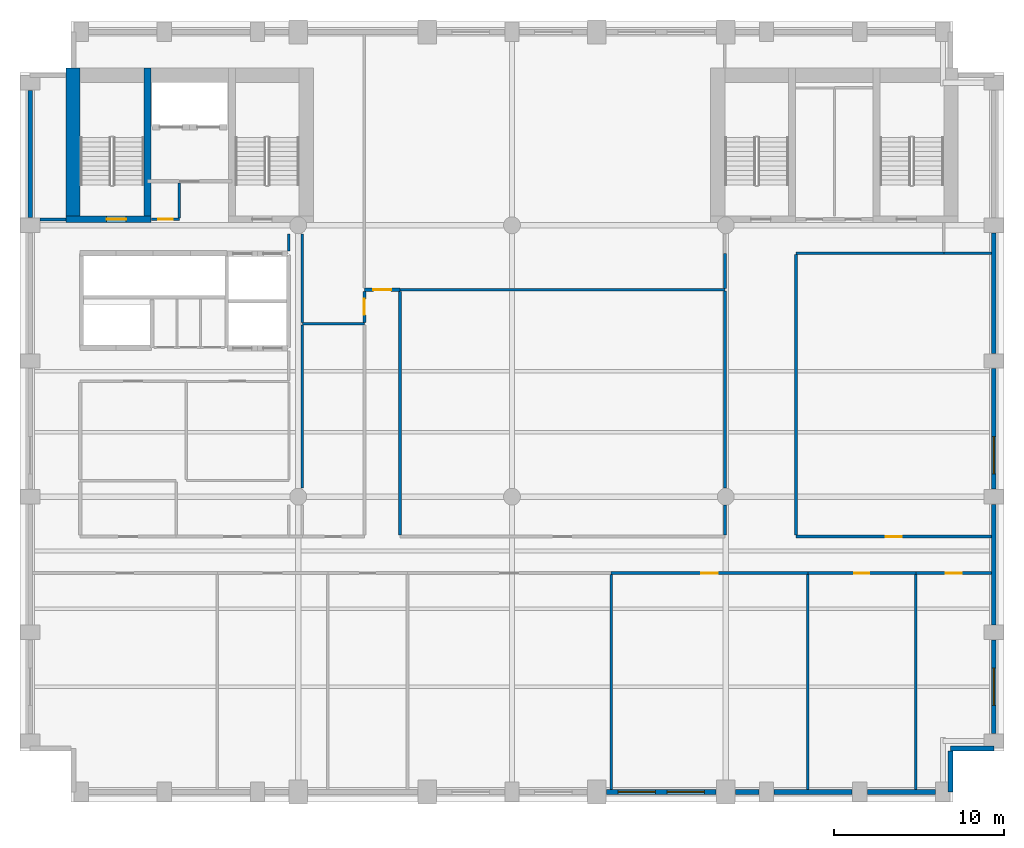
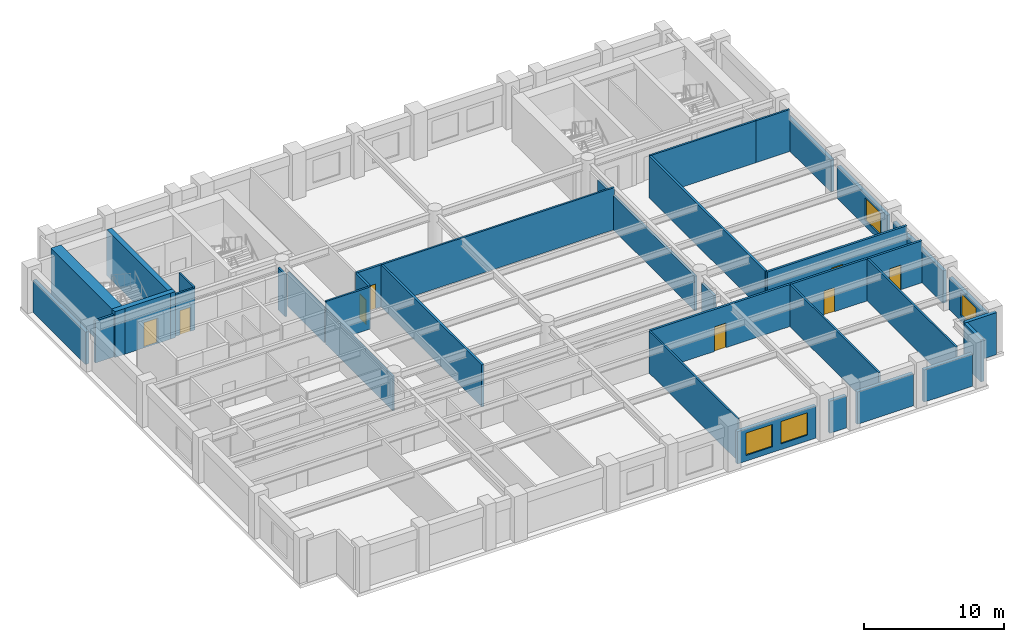
# One storey, part 4 of 8: 38 walls, 8 doors, 4 windows, 12 openings.
"""IFC4 building model written with IfcOpenShell, lengths in metres."""

from ifc_helpers import new_model, si_unit, direction, frame, frame_2d, origin, place, context, subcontext, project, spatial, rectangle, extrude, material, layer, layer_set, type_object, element, fill, save


model = new_model("IFC4")

# Units and contexts
model_context = context("Model", 3, precision=1e-05, world=origin(), true_north=direction((0.0, 1.0)))
body_context = subcontext(model_context, "Body", "Model", "MODEL_VIEW")
ifc_project = project(units=[si_unit("LENGTHUNIT", "METRE"), si_unit("AREAUNIT", "SQUARE_METRE"), si_unit("VOLUMEUNIT", "CUBIC_METRE"), si_unit("PLANEANGLEUNIT", "RADIAN"), si_unit("MASSUNIT", "GRAM", prefix="KILO")], contexts=[model_context])

# Site, building, storey
site_placement = place(None, origin())
site = spatial("IfcSite", under=ifc_project, at=site_placement, CompositionType="ELEMENT")
building_placement = place(site_placement, origin())
building = spatial("IfcBuilding", under=site, at=building_placement, Name="Sulina Concourse Tower", CompositionType="ELEMENT")
storey_placement = place(building_placement, frame((0.0, 0.0, 156.60009765625)))
storey = spatial("IfcBuildingStorey", under=building, at=storey_placement, Name="L38", CompositionType="ELEMENT", Elevation=156.60009765625)

# Walls
ifc_material_1 = material(Name="Gypsum board on steel stud", Category="steel")
ifc_layer_1 = layer(ifc_material_1, 0.14990234375)
ifc_layer_set_1 = layer_set([ifc_layer_1], Name="Gypsum board on steel stud")
wall_type_1 = type_object("IfcWallType", Name="Inter-Tenancy Acoustic Partition 150mm", PredefinedType="PARTITIONING", material=ifc_layer_set_1)
wall_1_placement = place(storey_placement, frame((16.64990234375, 28.199951171875, 0.0), z_axis=(0.0, 0.0, 1.0), x_axis=(1.0, 0.0, 0.0)))
element("IfcWall", 1, at=wall_1_placement, inside=storey, type_object=wall_type_1, Name="L38 interior partition 021", PredefinedType="PARTITIONING", context=body_context, shape_type="SweptSolid", body=[
    extrude(rectangle(XDim=3.650146484375, YDim=0.14990234375, at=frame_2d((1.8251953125, 0.0))), origin(), (0.0, 0.0, 1.0), 3.659912109375),
])
wall_2_placement = place(storey_placement, frame((22.39990234375, 30.199951171875, 0.0), z_axis=(0.0, 0.0, 1.0), x_axis=(1.0, 0.0, 0.0)))
element("IfcWall", 2, at=wall_2_placement, inside=storey, type_object=wall_type_1, Name="L38 interior partition 023", PredefinedType="PARTITIONING", context=body_context, shape_type="SweptSolid", body=[
    extrude(rectangle(XDim=19.150146484375, YDim=0.14990234375, at=frame_2d((9.5751953125, 0.0))), origin(), (0.0, 0.0, 1.0), 3.659912109375),
])
wall_3_placement = place(storey_placement, frame((45.75, 32.35009765625, 0.0), z_axis=(0.0, 0.0, 1.0), x_axis=(1.0, 0.0, 0.0)))
element("IfcWall", 3, at=wall_3_placement, inside=storey, type_object=wall_type_1, Name="L38 interior partition 024", PredefinedType="PARTITIONING", context=body_context, shape_type="SweptSolid", body=[
    extrude(rectangle(XDim=8.699951171875, YDim=0.14990234375, at=frame_2d((4.35009765625, 0.0))), origin(), (0.0, 0.0, 1.0), 3.659912109375),
])
wall_4_placement = place(storey_placement, frame((54.449951171875, 32.35009765625, 0.0), z_axis=(0.0, 0.0, 1.0), x_axis=(1.0, 0.0, 0.0)))
element("IfcWall", 4, at=wall_4_placement, inside=storey, type_object=wall_type_1, Name="L38 interior partition 025", PredefinedType="PARTITIONING", context=body_context, shape_type="SweptSolid", body=[
    extrude(rectangle(XDim=2.81005859375, YDim=0.14990234375, at=frame_2d((1.405029296875, 0.0))), origin(), (0.0, 0.0, 1.0), 3.659912109375),
])

# Wall, opening, door
wall_5_placement = place(storey_placement, frame((7.75, 34.35009765625, 0.0), z_axis=(0.0, 0.0, 1.0), x_axis=(1.0, 0.0, 0.0)))
wall_5 = element("IfcWall", 5, at=wall_5_placement, inside=storey, type_object=wall_type_1, Name="L38 interior partition 027", PredefinedType="PARTITIONING", context=body_context, shape_type="SweptSolid", body=[
    extrude(rectangle(XDim=1.64990234375, YDim=0.14990234375, at=frame_2d((0.824951171875, 0.0))), origin(), (0.0, 0.0, 1.0), 3.659912109375),
])
opening_1_placement = place(wall_5_placement, frame((0.385009765625, 0.0, 0.0)))
opening_1 = element("IfcOpeningElement", 6, at=opening_1_placement, cuts=wall_5, Name="Opening DR-38", PredefinedType="OPENING", context=body_context, shape_type="SweptSolid", body=[
    extrude(rectangle(XDim=0.8798828125, YDim=2.10009765625, at=frame_2d((0.43994140625, 1.050048828125))), frame((0.0, 0.0849609375, 0.0), z_axis=(0.0, -1.0, 0.0), x_axis=(1.0, 0.0, 0.0)), (0.0, 0.0, 1.0), 0.169921875),
])
ifc_material_2 = material(Name="Galvanised steel acoustic fire leaf", Category="steel")
ifc_layer_2 = layer(ifc_material_2, 0.050048828125)
ifc_layer_set_2 = layer_set([ifc_layer_2], Name="Galvanised steel acoustic fire leaf")
door_type_1 = type_object("IfcDoorType", Name="Service Riser Fire Door 880x2100", OperationType="NOTDEFINED", PredefinedType="DOOR", material=ifc_layer_set_2)
door_1_placement = place(opening_1_placement, origin())
door_1 = element("IfcDoor", 7, at=door_1_placement, inside=storey, type_object=door_type_1, Name="L38 interior door L38-CLN-N", OperationType="SINGLE_SWING_RIGHT", OverallHeight=2.10009765625, OverallWidth=0.8798828125, PredefinedType="DOOR", context=body_context, shape_type="SweptSolid", body=[
    extrude(rectangle(XDim=0.8798828125, YDim=2.10009765625, at=frame_2d((0.43994140625, 1.050048828125))), frame((0.0, 0.02490234375, 0.0), z_axis=(0.0, -1.0, 0.0), x_axis=(1.0, 0.0, 0.0)), (0.0, 0.0, 1.0), 0.050048828125),
])
fill(opening_1, door_1)

# Walls
wall_6_placement = place(storey_placement, frame((9.39990234375, 34.425048828125, 0.0), z_axis=(0.0, 0.0, 1.0), x_axis=(0.0, 1.0, 0.0)))
element("IfcWall", 8, at=wall_6_placement, inside=storey, type_object=wall_type_1, Name="L38 interior partition 034", PredefinedType="PARTITIONING", context=body_context, shape_type="SweptSolid", body=[
    extrude(rectangle(XDim=2.06494140625, YDim=0.14990234375, at=frame_2d((1.032470703125, 0.0))), origin(), (0.0, 0.0, 1.0), 3.659912109375),
])
wall_7_placement = place(storey_placement, frame((15.85009765625, 32.469970703125, 0.0), z_axis=(0.0, 0.0, 1.0), x_axis=(0.0, 1.0, 0.0)))
element("IfcWall", 9, at=wall_7_placement, inside=storey, type_object=wall_type_1, Name="L38 interior partition 041", PredefinedType="PARTITIONING", context=body_context, shape_type="SweptSolid", body=[
    extrude(rectangle(XDim=1.030029296875, YDim=0.14990234375, at=frame_2d((0.51513671875, 0.0))), origin(), (0.0, 0.0, 1.0), 3.659912109375),
])
wall_8_placement = place(storey_placement, frame((16.64990234375, 18.5, 0.0), z_axis=(0.0, 0.0, 1.0), x_axis=(0.0, 1.0, 0.0)))
element("IfcWall", 10, at=wall_8_placement, inside=storey, type_object=wall_type_1, Name="L38 interior partition 043", PredefinedType="PARTITIONING", context=body_context, shape_type="SweptSolid", body=[
    extrude(rectangle(XDim=9.625, YDim=0.14990234375, at=frame_2d((4.8125, 0.0))), origin(), (0.0, 0.0, 1.0), 3.0048828125),
])
wall_9_placement = place(storey_placement, frame((16.64990234375, 28.27490234375, 0.0), z_axis=(0.0, 0.0, 1.0), x_axis=(0.0, 1.0, 0.0)))
element("IfcWall", 11, at=wall_9_placement, inside=storey, type_object=wall_type_1, Name="L38 interior partition 044", PredefinedType="PARTITIONING", context=body_context, shape_type="SweptSolid", body=[
    extrude(rectangle(XDim=5.22509765625, YDim=0.14990234375, at=frame_2d((2.612548828125, 0.0))), origin(), (0.0, 0.0, 1.0), 3.0048828125),
])
for number, where, z_axis, x_axis, name in (
    (12, (34.840087890625, 0.739990234375, 0.0), (0.0, 0.0, 1.0), (0.0, 1.0, 0.0), "L38 interior partition 051"),
    (13, (46.43994140625, 0.739990234375, 0.0), (0.0, 0.0, 1.0), (0.0, 1.0, 0.0), "L38 interior partition 058"),
    (14, (52.800048828125, 0.739990234375, 0.0), (0.0, 0.0, 1.0), (0.0, 1.0, 0.0), "L38 interior partition 060"),
):
    element("IfcWall", number, at=place(storey_placement, frame(where, z_axis=z_axis, x_axis=x_axis)), inside=storey, type_object=wall_type_1, Name=name, PredefinedType="PARTITIONING", context=body_context, shape_type="SweptSolid", body=[
        extrude(rectangle(XDim=12.669921875, YDim=0.14990234375, at=frame_2d((6.3349609375, 0.0))), origin(), (0.0, 0.0, 1.0), 3.659912109375),
    ])

# Wall, opening, door
ifc_material_3 = material(Name="Gypsum board on steel stud", Category="steel")
ifc_layer_3 = layer(ifc_material_3, 0.179931640625)
ifc_layer_set_3 = layer_set([ifc_layer_3], Name="Gypsum board on steel stud")
wall_type_2 = type_object("IfcWallType", Name="Protected Corridor & Riser Partition 180mm", PredefinedType="PARTITIONING", material=ifc_layer_set_3)
wall_10_placement = place(storey_placement, frame((34.840087890625, 13.5, 0.0), z_axis=(0.0, 0.0, 1.0), x_axis=(1.0, 0.0, 0.0)))
wall_10 = element("IfcWall", 15, at=wall_10_placement, inside=storey, type_object=wall_type_2, Name="L38 interior partition 005", PredefinedType="PARTITIONING", context=body_context, shape_type="SweptSolid", body=[
    extrude(rectangle(XDim=11.599853515625, YDim=0.179931640625, at=frame_2d((5.7998046875, 0.0))), origin(), (0.0, 0.0, 1.0), 3.659912109375),
])
opening_2_placement = place(wall_10_placement, frame((5.324951171875, 0.0, 0.0)))
opening_2 = element("IfcOpeningElement", 16, at=opening_2_placement, cuts=wall_10, Name="Opening DR-19", PredefinedType="OPENING", context=body_context, shape_type="SweptSolid", body=[
    extrude(rectangle(XDim=0.949951171875, YDim=2.14990234375, at=frame_2d((0.47509765625, 1.074951171875))), frame((0.0, 0.099853515625, 0.0), z_axis=(0.0, -1.0, 0.0), x_axis=(1.0, 0.0, 0.0)), (0.0, 0.0, 1.0), 0.199951171875),
])
ifc_material_4 = material(Name="Oak-veneered acoustic timber leaf", Category="wood")
ifc_layer_4 = layer(ifc_material_4, 0.050048828125)
ifc_layer_set_4 = layer_set([ifc_layer_4], Name="Oak-veneered acoustic timber leaf")
door_type_2 = type_object("IfcDoorType", Name="Cellular Office & Meeting Door 950x2150", OperationType="NOTDEFINED", PredefinedType="DOOR", material=ifc_layer_set_4)
door_2_placement = place(opening_2_placement, origin())
door_2 = element("IfcDoor", 17, at=door_2_placement, inside=storey, type_object=door_type_2, Name="L38 interior door L38-S04", OperationType="SINGLE_SWING_RIGHT", OverallHeight=2.14990234375, OverallWidth=0.949951171875, PredefinedType="DOOR", context=body_context, shape_type="SweptSolid", body=[
    extrude(rectangle(XDim=0.949951171875, YDim=2.14990234375, at=frame_2d((0.47509765625, 1.074951171875))), frame((0.0, 0.02490234375, 0.0), z_axis=(0.0, -1.0, 0.0), x_axis=(1.0, 0.0, 0.0)), (0.0, 0.0, 1.0), 0.050048828125),
])
fill(opening_2, door_2)

wall_11_placement = place(storey_placement, frame((46.43994140625, 13.5, 0.0), z_axis=(0.0, 0.0, 1.0), x_axis=(1.0, 0.0, 0.0)))
wall_11 = element("IfcWall", 18, at=wall_11_placement, inside=storey, type_object=wall_type_2, Name="L38 interior partition 006", PredefinedType="PARTITIONING", context=body_context, shape_type="SweptSolid", body=[
    extrude(rectangle(XDim=6.360107421875, YDim=0.179931640625, at=frame_2d((3.18017578125, 0.0))), origin(), (0.0, 0.0, 1.0), 3.659912109375),
])
opening_3_placement = place(wall_11_placement, frame((2.739990234375, 0.0, 0.0)))
opening_3 = element("IfcOpeningElement", 19, at=opening_3_placement, cuts=wall_11, Name="Opening DR-38", PredefinedType="OPENING", context=body_context, shape_type="SweptSolid", body=[
    extrude(rectangle(XDim=0.8798828125, YDim=2.10009765625, at=frame_2d((0.43994140625, 1.050048828125))), frame((0.0, 0.099853515625, 0.0), z_axis=(0.0, -1.0, 0.0), x_axis=(1.0, 0.0, 0.0)), (0.0, 0.0, 1.0), 0.199951171875),
])
door_3_placement = place(opening_3_placement, origin())
door_3 = element("IfcDoor", 20, at=door_3_placement, inside=storey, type_object=door_type_1, Name="L38 interior door L38-S05A", OperationType="SINGLE_SWING_LEFT", OverallHeight=2.10009765625, OverallWidth=0.8798828125, PredefinedType="DOOR", context=body_context, shape_type="SweptSolid", body=[
    extrude(rectangle(XDim=0.8798828125, YDim=2.10009765625, at=frame_2d((0.43994140625, 1.050048828125))), frame((0.0, 0.02490234375, 0.0), z_axis=(0.0, -1.0, 0.0), x_axis=(1.0, 0.0, 0.0)), (0.0, 0.0, 1.0), 0.050048828125),
])
fill(opening_3, door_3)

wall_12_placement = place(storey_placement, frame((52.800048828125, 13.5, 0.0), z_axis=(0.0, 0.0, 1.0), x_axis=(1.0, 0.0, 0.0)))
wall_12 = element("IfcWall", 21, at=wall_12_placement, inside=storey, type_object=wall_type_2, Name="L38 interior partition 007", PredefinedType="PARTITIONING", context=body_context, shape_type="SweptSolid", body=[
    extrude(rectangle(XDim=4.4599609375, YDim=0.179931640625, at=frame_2d((2.22998046875, 0.0))), origin(), (0.0, 0.0, 1.0), 3.659912109375),
])
opening_4_placement = place(wall_12_placement, frame((1.7548828125, 0.0, 0.0)))
opening_4 = element("IfcOpeningElement", 22, at=opening_4_placement, cuts=wall_12, Name="Opening DR-19", PredefinedType="OPENING", context=body_context, shape_type="SweptSolid", body=[
    extrude(rectangle(XDim=0.949951171875, YDim=2.14990234375, at=frame_2d((0.47509765625, 1.074951171875))), frame((0.0, 0.099853515625, 0.0), z_axis=(0.0, -1.0, 0.0), x_axis=(1.0, 0.0, 0.0)), (0.0, 0.0, 1.0), 0.199951171875),
])
door_4_placement = place(opening_4_placement, origin())
door_4 = element("IfcDoor", 23, at=door_4_placement, inside=storey, type_object=door_type_2, Name="L38 interior door L38-S05B", OperationType="SINGLE_SWING_RIGHT", OverallHeight=2.14990234375, OverallWidth=0.949951171875, PredefinedType="DOOR", context=body_context, shape_type="SweptSolid", body=[
    extrude(rectangle(XDim=0.949951171875, YDim=2.14990234375, at=frame_2d((0.47509765625, 1.074951171875))), frame((0.0, 0.02490234375, 0.0), z_axis=(0.0, -1.0, 0.0), x_axis=(1.0, 0.0, 0.0)), (0.0, 0.0, 1.0), 0.050048828125),
])
fill(opening_4, door_4)

wall_13_placement = place(storey_placement, frame((45.75, 15.64990234375, 0.0), z_axis=(0.0, 0.0, 1.0), x_axis=(1.0, 0.0, 0.0)))
wall_13 = element("IfcWall", 24, at=wall_13_placement, inside=storey, type_object=wall_type_2, Name="L38 interior partition 013", PredefinedType="PARTITIONING", context=body_context, shape_type="SweptSolid", body=[
    extrude(rectangle(XDim=11.510009765625, YDim=0.179931640625, at=frame_2d((5.7548828125, 0.0))), origin(), (0.0, 0.0, 1.0), 3.659912109375),
])
opening_5_placement = place(wall_13_placement, frame((5.280029296875, 0.0, 0.0)))
opening_5 = element("IfcOpeningElement", 25, at=opening_5_placement, cuts=wall_13, Name="Opening DR-19", PredefinedType="OPENING", context=body_context, shape_type="SweptSolid", body=[
    extrude(rectangle(XDim=0.949951171875, YDim=2.14990234375, at=frame_2d((0.47509765625, 1.074951171875))), frame((0.0, 0.099853515625, 0.0), z_axis=(0.0, -1.0, 0.0), x_axis=(1.0, 0.0, 0.0)), (0.0, 0.0, 1.0), 0.199951171875),
])
door_5_placement = place(opening_5_placement, origin())
door_5 = element("IfcDoor", 26, at=door_5_placement, inside=storey, type_object=door_type_2, Name="L38 interior door L38-NE1", OperationType="SINGLE_SWING_LEFT", OverallHeight=2.14990234375, OverallWidth=0.949951171875, PredefinedType="DOOR", context=body_context, shape_type="SweptSolid", body=[
    extrude(rectangle(XDim=0.949951171875, YDim=2.14990234375, at=frame_2d((0.47509765625, 1.074951171875))), frame((0.0, 0.02490234375, 0.0), z_axis=(0.0, -1.0, 0.0), x_axis=(1.0, 0.0, 0.0)), (0.0, 0.0, 1.0), 0.050048828125),
])
fill(opening_5, door_5)

wall_14_placement = place(storey_placement, frame((20.300048828125, 30.199951171875, 0.0), z_axis=(0.0, 0.0, 1.0), x_axis=(1.0, 0.0, 0.0)))
wall_14 = element("IfcWall", 27, at=wall_14_placement, inside=storey, type_object=wall_type_2, Name="L38 interior partition 022", PredefinedType="PARTITIONING", context=body_context, shape_type="SweptSolid", body=[
    extrude(rectangle(XDim=2.099853515625, YDim=0.179931640625, at=frame_2d((1.0498046875, 0.0))), origin(), (0.0, 0.0, 1.0), 3.659912109375),
])
opening_6_placement = place(wall_14_placement, frame((0.52490234375, 0.0, 0.0)))
opening_6 = element("IfcOpeningElement", 28, at=opening_6_placement, cuts=wall_14, Name="Opening DR-37", PredefinedType="OPENING", context=body_context, shape_type="SweptSolid", body=[
    extrude(rectangle(XDim=1.050048828125, YDim=2.14990234375, at=frame_2d((0.52490234375, 1.074951171875))), frame((0.0, 0.099853515625, 0.0), z_axis=(0.0, -1.0, 0.0), x_axis=(1.0, 0.0, 0.0)), (0.0, 0.0, 1.0), 0.199951171875),
])
ifc_material_5 = material(Name="Oak-veneered fire door leaf")
ifc_layer_5 = layer(ifc_material_5, 0.050048828125)
ifc_layer_set_5 = layer_set([ifc_layer_5], Name="Oak-veneered fire door leaf")
door_type_3 = type_object("IfcDoorType", Name="Tenant Suite Entrance Fire Door 1050x2150", OperationType="NOTDEFINED", PredefinedType="DOOR", material=ifc_layer_set_5)
door_6_placement = place(opening_6_placement, origin())
door_6 = element("IfcDoor", 29, at=door_6_placement, inside=storey, type_object=door_type_3, Name="L38 interior door L38-NC4", OperationType="SINGLE_SWING_LEFT", OverallHeight=2.14990234375, OverallWidth=1.050048828125, PredefinedType="DOOR", context=body_context, shape_type="SweptSolid", body=[
    extrude(rectangle(XDim=1.050048828125, YDim=2.14990234375, at=frame_2d((0.52490234375, 1.074951171875))), frame((0.0, 0.02490234375, 0.0), z_axis=(0.0, -1.0, 0.0), x_axis=(1.0, 0.0, 0.0)), (0.0, 0.0, 1.0), 0.050048828125),
])
fill(opening_6, door_6)

# Wall
wall_15_placement = place(storey_placement, frame((1.175048828125, 34.35009765625, 0.0), z_axis=(0.0, 0.0, 1.0), x_axis=(1.0, 0.0, 0.0)))
element("IfcWall", 30, at=wall_15_placement, inside=storey, type_object=wall_type_2, Name="L38 interior partition 026", PredefinedType="PARTITIONING", context=body_context, shape_type="SweptSolid", body=[
    extrude(rectangle(XDim=1.52490234375, YDim=0.179931640625, at=frame_2d((0.762451171875, 0.0))), origin(), (0.0, 0.0, 1.0), 3.659912109375),
])

# Wall, opening, door
wall_16_placement = place(storey_placement, frame((20.300048828125, 28.27490234375, 0.0), z_axis=(0.0, 0.0, 1.0), x_axis=(0.0, 1.0, 0.0)))
wall_16 = element("IfcWall", 31, at=wall_16_placement, inside=storey, type_object=wall_type_2, Name="L38 interior partition 047", PredefinedType="PARTITIONING", context=body_context, shape_type="SweptSolid", body=[
    extrude(rectangle(XDim=1.835205078125, YDim=0.179931640625, at=frame_2d((0.91748046875, 0.0))), origin(), (0.0, 0.0, 1.0), 3.659912109375),
])
opening_7_placement = place(wall_16_placement, frame((0.4423828125, 0.0, 0.0)))
opening_7 = element("IfcOpeningElement", 32, at=opening_7_placement, cuts=wall_16, Name="Opening DR-19", PredefinedType="OPENING", context=body_context, shape_type="SweptSolid", body=[
    extrude(rectangle(XDim=0.949951171875, YDim=2.14990234375, at=frame_2d((0.47509765625, 1.074951171875))), frame((0.0, 0.099853515625, 0.0), z_axis=(0.0, -1.0, 0.0), x_axis=(1.0, 0.0, 0.0)), (0.0, 0.0, 1.0), 0.199951171875),
])
door_7_placement = place(opening_7_placement, origin())
door_7 = element("IfcDoor", 33, at=door_7_placement, inside=storey, type_object=door_type_2, Name="L38 interior door L38-NC2", OperationType="SINGLE_SWING_LEFT", OverallHeight=2.14990234375, OverallWidth=0.949951171875, PredefinedType="DOOR", context=body_context, shape_type="SweptSolid", body=[
    extrude(rectangle(XDim=0.949951171875, YDim=2.14990234375, at=frame_2d((0.47509765625, 1.074951171875))), frame((0.0, 0.02490234375, 0.0), z_axis=(0.0, -1.0, 0.0), x_axis=(1.0, 0.0, 0.0)), (0.0, 0.0, 1.0), 0.050048828125),
])
fill(opening_7, door_7)

# Walls
wall_17_placement = place(storey_placement, frame((22.39990234375, 15.739990234375, 0.0), z_axis=(0.0, 0.0, 1.0), x_axis=(0.0, 1.0, 0.0)))
element("IfcWall", 34, at=wall_17_placement, inside=storey, type_object=wall_type_2, Name="L38 interior partition 049", PredefinedType="PARTITIONING", context=body_context, shape_type="SweptSolid", body=[
    extrude(rectangle(XDim=14.3701171875, YDim=0.179931640625, at=frame_2d((7.18505859375, 0.0))), origin(), (0.0, 0.0, 1.0), 3.659912109375),
])
wall_18_placement = place(storey_placement, frame((41.550048828125, 15.739990234375, 0.0), z_axis=(0.0, 0.0, 1.0), x_axis=(0.0, 1.0, 0.0)))
element("IfcWall", 35, at=wall_18_placement, inside=storey, type_object=wall_type_2, Name="L38 interior partition 052", PredefinedType="PARTITIONING", context=body_context, shape_type="SweptSolid", body=[
    extrude(rectangle(XDim=1.760009765625, YDim=0.179931640625, at=frame_2d((0.8798828125, 0.0))), origin(), (0.0, 0.0, 1.0), 3.0048828125),
])
wall_19_placement = place(storey_placement, frame((41.550048828125, 18.5, 0.0), z_axis=(0.0, 0.0, 1.0), x_axis=(0.0, 1.0, 0.0)))
element("IfcWall", 36, at=wall_19_placement, inside=storey, type_object=wall_type_2, Name="L38 interior partition 053", PredefinedType="PARTITIONING", context=body_context, shape_type="SweptSolid", body=[
    extrude(rectangle(XDim=11.625, YDim=0.179931640625, at=frame_2d((5.8125, 0.0))), origin(), (0.0, 0.0, 1.0), 3.0048828125),
])
wall_20_placement = place(storey_placement, frame((41.550048828125, 30.27490234375, 0.0), z_axis=(0.0, 0.0, 1.0), x_axis=(0.0, 1.0, 0.0)))
element("IfcWall", 37, at=wall_20_placement, inside=storey, type_object=wall_type_2, Name="L38 interior partition 054", PredefinedType="PARTITIONING", context=body_context, shape_type="SweptSolid", body=[
    extrude(rectangle(XDim=2.0751953125, YDim=0.179931640625, at=frame_2d((1.03759765625, 0.0))), origin(), (0.0, 0.0, 1.0), 3.0048828125),
])
wall_21_placement = place(storey_placement, frame((45.75, 15.739990234375, 0.0), z_axis=(0.0, 0.0, 1.0), x_axis=(0.0, 1.0, 0.0)))
element("IfcWall", 38, at=wall_21_placement, inside=storey, type_object=wall_type_2, Name="L38 interior partition 057", PredefinedType="PARTITIONING", context=body_context, shape_type="SweptSolid", body=[
    extrude(rectangle(XDim=16.534912109375, YDim=0.179931640625, at=frame_2d((8.267578125, 0.0))), origin(), (0.0, 0.0, 1.0), 3.659912109375),
])

# Wall, opening, door
ifc_material_6 = material(Name="Concrete C60/75", Category="concrete")
ifc_layer_6 = layer(ifc_material_6, 0.39990234375)
ifc_layer_set_6 = layer_set([ifc_layer_6], Name="Concrete C60/75")
wall_type_3 = type_object("IfcWallType", Name="Protected Stair Core Shear Wall 400mm", PredefinedType="SHEAR", material=ifc_layer_set_6)
wall_22_placement = place(storey_placement, frame((2.699951171875, 34.35009765625, 0.0), z_axis=(0.0, 0.0, 1.0), x_axis=(1.0, 0.0, 0.0)))
wall_22 = element("IfcWall", 39, at=wall_22_placement, inside=storey, type_object=wall_type_3, Name="L38 west core shear wall CW-WS1", PredefinedType="SHEAR", context=body_context, shape_type="SweptSolid", body=[
    extrude(rectangle(XDim=5.010009765625, YDim=0.39990234375, at=frame_2d((2.5048828125, 0.0))), origin(), (0.0, 0.0, 1.0), 4.0),
])
opening_8_placement = place(wall_22_placement, frame((2.39990234375, 0.0, 0.0)))
opening_8 = element("IfcOpeningElement", 40, at=opening_8_placement, cuts=wall_22, Name="Opening DR-60", PredefinedType="OPENING", context=body_context, shape_type="SweptSolid", body=[
    extrude(rectangle(XDim=1.14990234375, YDim=2.199951171875, at=frame_2d((0.574951171875, 1.10009765625))), frame((0.0, 0.2099609375, 0.0), z_axis=(0.0, -1.0, 0.0), x_axis=(1.0, 0.0, 0.0)), (0.0, 0.0, 1.0), 0.419921875),
])
ifc_material_7 = material(Name="Galvanised steel acoustic fire leaf", Category="steel")
ifc_layer_7 = layer(ifc_material_7, 0.054931640625)
ifc_layer_set_7 = layer_set([ifc_layer_7], Name="Galvanised steel acoustic fire leaf")
door_type_4 = type_object("IfcDoorType", Name="Protected Exit Stair Fire Door 1150x2200", OperationType="NOTDEFINED", PredefinedType="DOOR", material=ifc_layer_set_7)
door_8_placement = place(opening_8_placement, origin())
door_8 = element("IfcDoor", 41, at=door_8_placement, inside=storey, type_object=door_type_4, Name="L38 stair ST-1 lobby fire door", OperationType="SINGLE_SWING_LEFT", OverallHeight=2.199951171875, OverallWidth=1.14990234375, PredefinedType="DOOR", context=body_context, shape_type="SweptSolid", body=[
    extrude(rectangle(XDim=1.14990234375, YDim=2.199951171875, at=frame_2d((0.574951171875, 1.10009765625))), frame((0.0, 0.02490234375, 0.0), z_axis=(0.0, -1.0, 0.0), x_axis=(1.0, 0.0, 0.0)), (0.0, 0.0, 1.0), 0.050048828125),
])
fill(opening_8, door_8)

# Walls
wall_23_placement = place(storey_placement, frame((7.510009765625, 34.14990234375, 0.0), z_axis=(0.0, 0.0, 1.0), x_axis=(0.0, 1.0, 0.0)))
element("IfcWall", 42, at=wall_23_placement, inside=storey, type_object=wall_type_3, Name="L38 west core shear wall SW-ST1", PredefinedType="SHEAR", context=body_context, shape_type="SweptSolid", body=[
    extrude(rectangle(XDim=9.130126953125, YDim=0.39990234375, at=frame_2d((4.56494140625, 0.0))), origin(), (0.0, 0.0, 1.0), 4.0),
])
ifc_material_8 = material(Name="Concrete C60/75", Category="concrete")
ifc_layer_8 = layer(ifc_material_8, 0.85009765625)
ifc_layer_set_8 = layer_set([ifc_layer_8], Name="Concrete C60/75")
wall_type_4 = type_object("IfcWallType", Name="Rear Core Shear Wall 850mm", PredefinedType="SHEAR", material=ifc_layer_set_8)
wall_24_placement = place(storey_placement, frame((3.125, 34.14990234375, 0.0), z_axis=(0.0, 0.0, 1.0), x_axis=(0.0, 1.0, 0.0)))
element("IfcWall", 43, at=wall_24_placement, inside=storey, type_object=wall_type_4, Name="L38 west core shear wall CW-WW", PredefinedType="SHEAR", context=body_context, shape_type="SweptSolid", body=[
    extrude(rectangle(XDim=9.130126953125, YDim=0.85009765625, at=frame_2d((4.56494140625, 0.0))), origin(), (0.0, 0.0, 1.0), 4.0),
])

# Wall, openings, windows
ifc_material_9 = material(Name="Precast concrete C50/60", Category="concrete")
ifc_layer_9 = layer(ifc_material_9, 0.280029296875)
ifc_layer_set_9 = layer_set([ifc_layer_9], Name="Precast concrete C50/60")
wall_type_5 = type_object("IfcWallType", Name="Typical Precast Masonry-Frame Facade Wall 280mm", PredefinedType="SOLIDWALL", material=ifc_layer_set_9)
wall_25_placement = place(storey_placement, frame((41.030029296875, 0.60009765625, 0.0), z_axis=(0.0, 0.0, 1.0), x_axis=(-1.0, 0.0, 0.0)))
wall_25 = element("IfcWall", 44, at=wall_25_placement, inside=storey, type_object=wall_type_5, Name="L38 exterior precast wall S7", PredefinedType="SOLIDWALL", context=body_context, shape_type="SweptSolid", body=[
    extrude(rectangle(XDim=6.4599609375, YDim=0.280029296875, at=frame_2d((3.22998046875, 0.0))), origin(), (0.0, 0.0, 1.0), 2.809814453125),
])
opening_9_placement = place(wall_25_placement, frame((0.686767578125, 0.0, 0.5)))
opening_9 = element("IfcOpeningElement", 45, at=opening_9_placement, cuts=wall_25, Name="Opening WN-76", PredefinedType="OPENING", context=body_context, shape_type="SweptSolid", body=[
    extrude(rectangle(XDim=2.199951171875, YDim=1.949951171875, at=frame_2d((1.10009765625, 0.97509765625))), frame((0.0, 0.14990234375, 0.0), z_axis=(0.0, -1.0, 0.0), x_axis=(1.0, 0.0, 0.0)), (0.0, 0.0, 1.0), 0.300048828125),
])
opening_10_placement = place(wall_25_placement, frame((3.5732421875, 0.0, 0.5)))
opening_10 = element("IfcOpeningElement", 46, at=opening_10_placement, cuts=wall_25, Name="Opening WN-76", PredefinedType="OPENING", context=body_context, shape_type="SweptSolid", body=[
    extrude(rectangle(XDim=2.199951171875, YDim=1.949951171875, at=frame_2d((1.10009765625, 0.97509765625))), frame((0.0, 0.14990234375, 0.0), z_axis=(0.0, -1.0, 0.0), x_axis=(1.0, 0.0, 0.0)), (0.0, 0.0, 1.0), 0.300048828125),
])
ifc_material_10 = material(Name="Low-E solar double glazing in bronze aluminium", Category="aluminium")
window_type = type_object("IfcWindowType", Name="Recessed Spandrel Window 2200x1950", PartitioningType="DOUBLE_PANEL_VERTICAL", PredefinedType="WINDOW", material=ifc_material_10)
window_1_placement = place(opening_9_placement, origin())
window_1 = element("IfcWindow", 47, at=window_1_placement, inside=storey, type_object=window_type, Name="L38 punched window S7-1", OverallHeight=1.949951171875, OverallWidth=2.199951171875, PartitioningType="SINGLE_PANEL", PredefinedType="WINDOW", context=body_context, shape_type="SweptSolid", body=[
    extrude(rectangle(XDim=2.199951171875, YDim=1.949951171875, at=frame_2d((1.10009765625, 0.97509765625))), frame((0.0, 0.030029296875, 0.0), z_axis=(0.0, -1.0, 0.0), x_axis=(1.0, 0.0, 0.0)), (0.0, 0.0, 1.0), 0.06005859375),
])
fill(opening_9, window_1)
window_2_placement = place(opening_10_placement, origin())
window_2 = element("IfcWindow", 48, at=window_2_placement, inside=storey, type_object=window_type, Name="L38 punched window S7-2", OverallHeight=1.949951171875, OverallWidth=2.199951171875, PartitioningType="SINGLE_PANEL", PredefinedType="WINDOW", context=body_context, shape_type="SweptSolid", body=[
    extrude(rectangle(XDim=2.199951171875, YDim=1.949951171875, at=frame_2d((1.10009765625, 0.97509765625))), frame((0.0, 0.030029296875, 0.0), z_axis=(0.0, -1.0, 0.0), x_axis=(1.0, 0.0, 0.0)), (0.0, 0.0, 1.0), 0.06005859375),
])
fill(opening_10, window_2)

# Walls
wall_26_placement = place(storey_placement, frame((43.554931640625, 0.60009765625, 0.0), z_axis=(0.0, 0.0, 1.0), x_axis=(-1.0, 0.0, 0.0)))
element("IfcWall", 49, at=wall_26_placement, inside=storey, type_object=wall_type_5, Name="L38 exterior precast wall S8", PredefinedType="SOLIDWALL", context=body_context, shape_type="SweptSolid", body=[
    extrude(rectangle(XDim=1.385009765625, YDim=0.280029296875, at=frame_2d((0.6923828125, 0.0))), origin(), (0.0, 0.0, 1.0), 2.809814453125),
])
wall_27_placement = place(storey_placement, frame((49.054931640625, 0.60009765625, 0.0), z_axis=(0.0, 0.0, 1.0), x_axis=(-1.0, 0.0, 0.0)))
element("IfcWall", 50, at=wall_27_placement, inside=storey, type_object=wall_type_5, Name="L38 exterior precast wall S9", PredefinedType="SOLIDWALL", context=body_context, shape_type="SweptSolid", body=[
    extrude(rectangle(XDim=4.60986328125, YDim=0.280029296875, at=frame_2d((2.304931640625, 0.0))), origin(), (0.0, 0.0, 1.0), 2.809814453125),
])
wall_28_placement = place(storey_placement, frame((53.955078125, 0.60009765625, 0.0), z_axis=(0.0, 0.0, 1.0), x_axis=(-1.0, 0.0, 0.0)))
element("IfcWall", 51, at=wall_28_placement, inside=storey, type_object=wall_type_5, Name="L38 exterior precast wall S10", PredefinedType="SOLIDWALL", context=body_context, shape_type="SweptSolid", body=[
    extrude(rectangle(XDim=4.010009765625, YDim=0.280029296875, at=frame_2d((2.0048828125, 0.0))), origin(), (0.0, 0.0, 1.0), 2.809814453125),
])
wall_29_placement = place(storey_placement, frame((0.60009765625, 34.445068359375, 0.0), z_axis=(0.0, 0.0, 1.0), x_axis=(0.0, 1.0, 0.0)))
element("IfcWall", 52, at=wall_29_placement, inside=storey, type_object=wall_type_5, Name="L38 exterior precast wall W5", PredefinedType="SOLIDWALL", context=body_context, shape_type="SweptSolid", body=[
    extrude(rectangle(XDim=7.510009765625, YDim=0.280029296875, at=frame_2d((3.7548828125, 0.0))), origin(), (0.0, 0.0, 1.0), 2.809814453125),
])

# Wall, opening, window
wall_30_placement = place(storey_placement, frame((57.39990234375, 9.554931640625, 0.0), z_axis=(0.0, 0.0, 1.0), x_axis=(0.0, -1.0, 0.0)))
wall_30 = element("IfcWall", 53, at=wall_30_placement, inside=storey, type_object=wall_type_5, Name="L38 exterior precast wall E1", PredefinedType="SOLIDWALL", context=body_context, shape_type="SweptSolid", body=[
    extrude(rectangle(XDim=5.510009765625, YDim=0.280029296875, at=frame_2d((2.7548828125, 0.0))), origin(), (0.0, 0.0, 1.0), 2.809814453125),
])
opening_11_placement = place(wall_30_placement, frame((1.655029296875, 0.0, 0.5)))
opening_11 = element("IfcOpeningElement", 54, at=opening_11_placement, cuts=wall_30, Name="Opening WN-76", PredefinedType="OPENING", context=body_context, shape_type="SweptSolid", body=[
    extrude(rectangle(XDim=2.199951171875, YDim=1.949951171875, at=frame_2d((1.10009765625, 0.97509765625))), frame((0.0, 0.14990234375, 0.0), z_axis=(0.0, -1.0, 0.0), x_axis=(1.0, 0.0, 0.0)), (0.0, 0.0, 1.0), 0.300048828125),
])
window_3_placement = place(opening_11_placement, origin())
window_3 = element("IfcWindow", 55, at=window_3_placement, inside=storey, type_object=window_type, Name="L38 punched window E1-1", OverallHeight=1.949951171875, OverallWidth=2.199951171875, PartitioningType="SINGLE_PANEL", PredefinedType="WINDOW", context=body_context, shape_type="SweptSolid", body=[
    extrude(rectangle(XDim=2.199951171875, YDim=1.949951171875, at=frame_2d((1.10009765625, 0.97509765625))), frame((0.0, 0.030029296875, 0.0), z_axis=(0.0, -1.0, 0.0), x_axis=(1.0, 0.0, 0.0)), (0.0, 0.0, 1.0), 0.06005859375),
])
fill(opening_11, window_3)

# Wall
wall_31_placement = place(storey_placement, frame((57.39990234375, 17.554931640625, 0.0), z_axis=(0.0, 0.0, 1.0), x_axis=(0.0, -1.0, 0.0)))
element("IfcWall", 56, at=wall_31_placement, inside=storey, type_object=wall_type_5, Name="L38 exterior precast wall E2", PredefinedType="SOLIDWALL", context=body_context, shape_type="SweptSolid", body=[
    extrude(rectangle(XDim=7.10986328125, YDim=0.280029296875, at=frame_2d((3.554931640625, 0.0))), origin(), (0.0, 0.0, 1.0), 2.809814453125),
])

# Wall, opening, window
wall_32_placement = place(storey_placement, frame((57.39990234375, 25.554931640625, 0.0), z_axis=(0.0, 0.0, 1.0), x_axis=(0.0, -1.0, 0.0)))
wall_32 = element("IfcWall", 57, at=wall_32_placement, inside=storey, type_object=wall_type_5, Name="L38 exterior precast wall E3", PredefinedType="SOLIDWALL", context=body_context, shape_type="SweptSolid", body=[
    extrude(rectangle(XDim=7.10986328125, YDim=0.280029296875, at=frame_2d((3.554931640625, 0.0))), origin(), (0.0, 0.0, 1.0), 2.809814453125),
])
opening_12_placement = place(wall_32_placement, frame((4.006591796875, 0.0, 0.5)))
opening_12 = element("IfcOpeningElement", 58, at=opening_12_placement, cuts=wall_32, Name="Opening WN-76", PredefinedType="OPENING", context=body_context, shape_type="SweptSolid", body=[
    extrude(rectangle(XDim=2.199951171875, YDim=1.949951171875, at=frame_2d((1.10009765625, 0.97509765625))), frame((0.0, 0.14990234375, 0.0), z_axis=(0.0, -1.0, 0.0), x_axis=(1.0, 0.0, 0.0)), (0.0, 0.0, 1.0), 0.300048828125),
])
window_4_placement = place(opening_12_placement, origin())
window_4 = element("IfcWindow", 59, at=window_4_placement, inside=storey, type_object=window_type, Name="L38 punched window E3-1", OverallHeight=1.949951171875, OverallWidth=2.199951171875, PartitioningType="SINGLE_PANEL", PredefinedType="WINDOW", context=body_context, shape_type="SweptSolid", body=[
    extrude(rectangle(XDim=2.199951171875, YDim=1.949951171875, at=frame_2d((1.10009765625, 0.97509765625))), frame((0.0, 0.030029296875, 0.0), z_axis=(0.0, -1.0, 0.0), x_axis=(1.0, 0.0, 0.0)), (0.0, 0.0, 1.0), 0.06005859375),
])
fill(opening_12, window_4)

# Walls
wall_33_placement = place(storey_placement, frame((57.39990234375, 33.554931640625, 0.0), z_axis=(0.0, 0.0, 1.0), x_axis=(0.0, -1.0, 0.0)))
element("IfcWall", 60, at=wall_33_placement, inside=storey, type_object=wall_type_5, Name="L38 exterior precast wall E4", PredefinedType="SOLIDWALL", context=body_context, shape_type="SweptSolid", body=[
    extrude(rectangle(XDim=7.10986328125, YDim=0.280029296875, at=frame_2d((3.554931640625, 0.0))), origin(), (0.0, 0.0, 1.0), 2.809814453125),
])
wall_34_placement = place(storey_placement, frame((57.39990234375, 3.155029296875, 0.0), z_axis=(0.0, 0.0, 1.0), x_axis=(-1.0, 0.0, 0.0)))
element("IfcWall", 61, at=wall_34_placement, inside=storey, type_object=wall_type_5, Name="L38 exterior precast wall CSE1", PredefinedType="SOLIDWALL", context=body_context, shape_type="SweptSolid", body=[
    extrude(rectangle(XDim=2.554931640625, YDim=0.280029296875, at=frame_2d((1.27734375, 0.0))), origin(), (0.0, 0.0, 1.0), 3.659912109375),
])
wall_35_placement = place(storey_placement, frame((54.844970703125, 3.010009765625, 0.0), z_axis=(0.0, 0.0, 1.0), x_axis=(0.0, -1.0, 0.0)))
element("IfcWall", 62, at=wall_35_placement, inside=storey, type_object=wall_type_5, Name="L38 exterior precast wall CSE2", PredefinedType="SOLIDWALL", context=body_context, shape_type="SweptSolid", body=[
    extrude(rectangle(XDim=2.409912109375, YDim=0.280029296875, at=frame_2d((1.205078125, 0.0))), origin(), (0.0, 0.0, 1.0), 3.659912109375),
])

save(model, "model.ifc")
